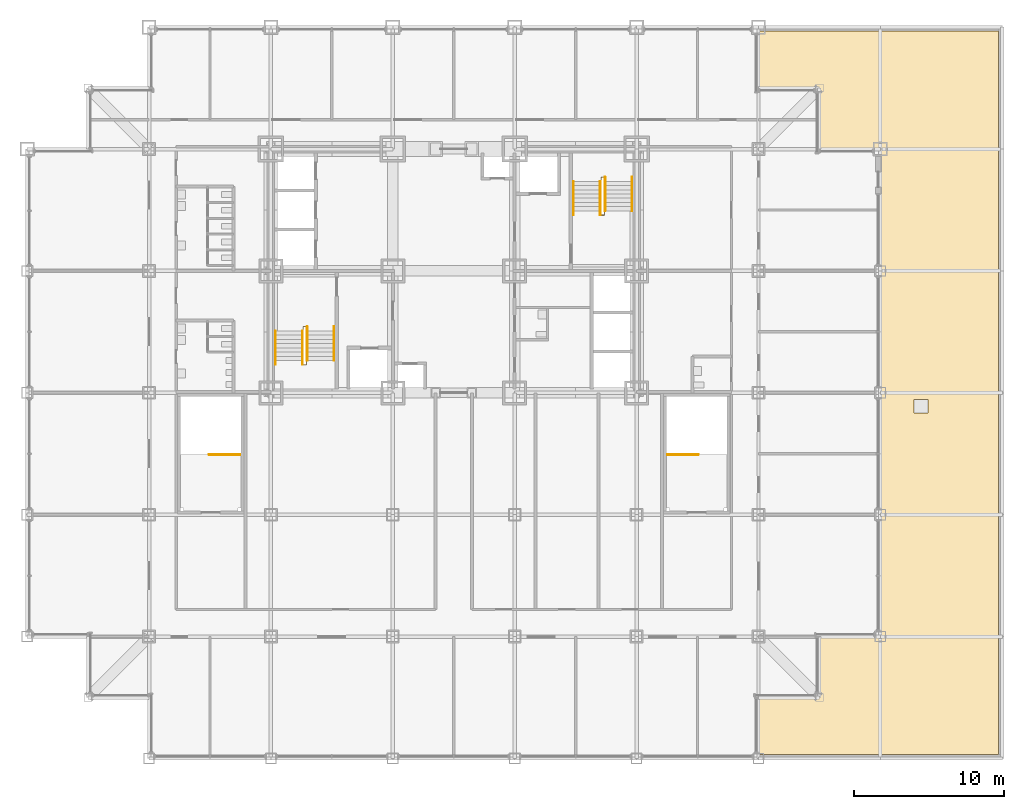
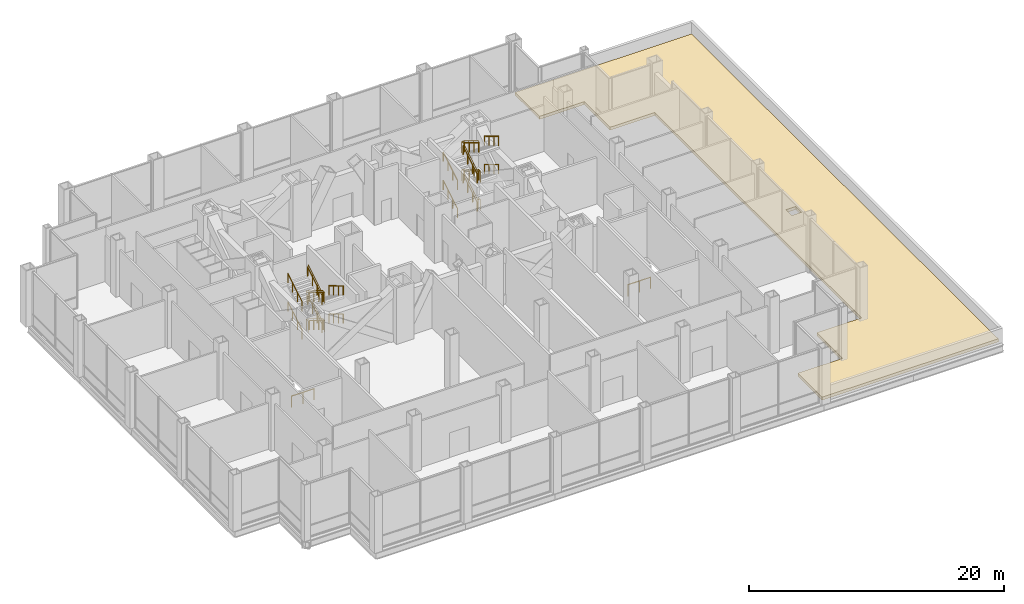
# One storey, part 17 of 18: 20 railings, 1 covering.
"""IFC4 building model written with IfcOpenShell, lengths in metres."""

from ifc_helpers import new_model, si_unit, direction, frame, origin, origin_2d, place, context, subcontext, project, spatial, polyline, circle, outline, extrude, material, layer, layer_set, type_object, element, save


model = new_model("IFC4")

# Units and contexts
model_context = context("Model", 3, precision=1e-05, world=origin(), true_north=direction((0.0, 1.0)))
body_context = subcontext(model_context, "Body", "Model", "MODEL_VIEW")
ifc_project = project(units=[si_unit("LENGTHUNIT", "METRE"), si_unit("AREAUNIT", "SQUARE_METRE"), si_unit("VOLUMEUNIT", "CUBIC_METRE"), si_unit("PLANEANGLEUNIT", "RADIAN"), si_unit("MASSUNIT", "GRAM", prefix="KILO")], contexts=[model_context])

# Site, building, storey
site_placement = place(None, origin())
site = spatial("IfcSite", under=ifc_project, at=site_placement, CompositionType="ELEMENT")
building_placement = place(site_placement, origin())
building = spatial("IfcBuilding", under=site, at=building_placement, Name="Kopane Lantern Tower", CompositionType="ELEMENT")
storey_placement = place(building_placement, frame((0.0, 0.0, 22.199951171875)))
storey = spatial("IfcBuildingStorey", under=building, at=storey_placement, Name="L04", CompositionType="ELEMENT", Elevation=22.199951171875)

# Covering
ifc_material_1 = material(Name="Bitumen membrane and extruded polystyrene insulation", Category="bitumen")
ifc_layer = layer(ifc_material_1, 0.280029296875)
ifc_layer_set = layer_set([ifc_layer], Name="ROOF FINISH RF1 INVERTED 280")
covering_type = type_object("IfcCoveringType", Name="ROOF FINISH RF1 INVERTED 280", PredefinedType="ROOFING", material=ifc_layer_set)
covering_placement = place(storey_placement, origin())
element("IfcCovering", 1, at=covering_placement, inside=storey, type_object=covering_type, Name="Roof finish L04", PredefinedType="ROOFING", context=body_context, shape_type="SweptSolid", body=[
    extrude(outline(polyline([(48.60009765625, 4.050048828125), (48.60009765625, 0.25), (64.550048828125, 0.25), (64.550048828125, 48.35009765625), (48.60009765625, 48.35009765625), (48.60009765625, 44.550048828125), (52.64990234375, 44.550048828125), (52.64990234375, 40.5), (56.699951171875, 40.5), (56.699951171875, 8.10009765625), (52.64990234375, 8.10009765625), (52.64990234375, 4.050048828125), (48.60009765625, 4.050048828125)]), holes=[polyline([(58.949951171875, 22.949951171875), (58.949951171875, 23.85009765625), (59.85009765625, 23.85009765625), (59.85009765625, 22.949951171875), (58.949951171875, 22.949951171875)])]), origin(), (0.0, 0.0, 1.0), 0.280029296875),
])

# Railings
ifc_material_2 = material(Name="Steel", Category="steel")
railing_type_1 = type_object("IfcRailingType", Name="STAIR GUARD 1100", PredefinedType="GUARDRAIL", material=ifc_material_2)
railing_1_placement = place(storey_placement, frame((18.35009765625, 28.409912109375, 0.0)))
element("IfcRailing", 2, at=railing_1_placement, inside=storey, type_object=railing_type_1, Name="ST1 well guard L04", PredefinedType="GUARDRAIL", context=body_context, shape_type="SweptSolid", body=[
    extrude(circle(Radius=0.02392578125, at=origin_2d()), frame((0.0, 0.0, 1.076171875), z_axis=(0.0, 1.0, 0.0), x_axis=(-1.0, 0.0, 0.0)), (0.0, 0.0, 1.0), 0.280029296875),
    extrude(circle(Radius=0.02392578125, at=origin_2d()), frame((0.0, 0.280029296875, 1.076171875), z_axis=(1.0, 0.0, 0.0), x_axis=(0.0, 1.0, 0.0)), (0.0, 0.0, 1.0), 0.199951171875),
    extrude(circle(Radius=0.02392578125, at=origin_2d()), frame((0.199951171875, 0.280029296875, 1.076171875), z_axis=(0.0, -0.856461642802, 0.516210668632), x_axis=(1.0, 0.0, 0.0)), (0.0, 0.0, 1.0), 2.615478515625),
    extrude(circle(Radius=0.02392578125, at=origin_2d()), frame((0.199951171875, -1.9599609375, 2.42626953125), z_axis=(0.0, -1.0, 0.0), x_axis=(1.0, 0.0, 0.0)), (0.0, 0.0, 1.0), 0.280029296875),
    extrude(circle(Radius=0.02392578125, at=origin_2d()), frame((0.199951171875, -2.239990234375, 2.42626953125), z_axis=(-1.0, 0.0, 0.0), x_axis=(0.0, -1.0, 0.0)), (0.0, 0.0, 1.0), 0.199951171875),
    extrude(circle(Radius=0.02392578125, at=origin_2d()), frame((0.0, -2.239990234375, 2.42626953125), z_axis=(0.0, 0.856502912269, 0.516142190947), x_axis=(-1.0, 0.0, 0.0)), (0.0, 0.0, 1.0), 2.615234375),
    extrude(circle(Radius=0.02392578125, at=origin_2d()), frame((0.0, 0.0, 3.77587890625), z_axis=(0.0, 1.0, 0.0), x_axis=(-1.0, 0.0, 0.0)), (0.0, 0.0, 1.0), 0.280029296875),
    extrude(circle(Radius=0.02392578125, at=origin_2d()), frame((0.0, 0.280029296875, 3.77587890625), z_axis=(1.0, 0.0, 0.0), x_axis=(0.0, 1.0, 0.0)), (0.0, 0.0, 1.0), 0.199951171875),
    extrude(circle(Radius=0.02392578125, at=origin_2d()), frame((0.199951171875, 0.280029296875, 3.77587890625), z_axis=(0.0, -0.856461642802, 0.516210668632), x_axis=(1.0, 0.0, 0.0)), (0.0, 0.0, 1.0), 2.615478515625),
    extrude(circle(Radius=0.02392578125, at=origin_2d()), frame((0.199951171875, -1.9599609375, 5.1259765625), z_axis=(0.0, -1.0, 0.0), x_axis=(1.0, 0.0, 0.0)), (0.0, 0.0, 1.0), 0.280029296875),
    extrude(circle(Radius=0.02392578125, at=origin_2d()), frame((0.199951171875, -2.239990234375, 5.1259765625), z_axis=(-1.0, 0.0, 0.0), x_axis=(0.0, -1.0, 0.0)), (0.0, 0.0, 1.0), 0.199951171875),
    extrude(circle(Radius=0.02392578125, at=origin_2d()), frame((0.0, -2.239990234375, 5.1259765625), z_axis=(0.0, 0.856461642802, 0.516210668632), x_axis=(-1.0, 0.0, 0.0)), (0.0, 0.0, 1.0), 2.615478515625),
    extrude(circle(Radius=0.02099609375, at=origin_2d()), origin(), (0.0, 0.0, 1.0), 1.052001953125),
    extrude(circle(Radius=0.02099609375, at=origin_2d()), frame((0.0, 0.280029296875, 0.0)), (0.0, 0.0, 1.0), 1.052001953125),
    extrude(circle(Radius=0.02099609375, at=origin_2d()), frame((0.199951171875, 0.280029296875, 0.0)), (0.0, 0.0, 1.0), 1.052001953125),
    extrude(circle(Radius=0.02099609375, at=origin_2d()), frame((0.199951171875, -0.466552734375, 0.449951171875)), (0.0, 0.0, 1.0), 1.052001953125),
    extrude(circle(Radius=0.02099609375, at=origin_2d()), frame((0.199951171875, -1.21337890625, 0.900146484375)), (0.0, 0.0, 1.0), 1.052001953125),
    extrude(circle(Radius=0.02099609375, at=origin_2d()), frame((0.199951171875, -1.9599609375, 1.35009765625)), (0.0, 0.0, 1.0), 1.052001953125),
    extrude(circle(Radius=0.02099609375, at=origin_2d()), frame((0.199951171875, -2.239990234375, 1.35009765625)), (0.0, 0.0, 1.0), 1.052001953125),
    extrude(circle(Radius=0.02099609375, at=origin_2d()), frame((0.0, -2.239990234375, 1.35009765625)), (0.0, 0.0, 1.0), 1.052001953125),
    extrude(circle(Radius=0.02099609375, at=origin_2d()), frame((0.0, -1.493408203125, 1.800048828125)), (0.0, 0.0, 1.0), 1.052001953125),
    extrude(circle(Radius=0.02099609375, at=origin_2d()), frame((0.0, -0.74658203125, 2.25)), (0.0, 0.0, 1.0), 1.052001953125),
    extrude(circle(Radius=0.02099609375, at=origin_2d()), frame((0.0, 0.0, 2.699951171875)), (0.0, 0.0, 1.0), 1.052001953125),
    extrude(circle(Radius=0.02099609375, at=origin_2d()), frame((0.0, 0.280029296875, 2.699951171875)), (0.0, 0.0, 1.0), 1.052001953125),
    extrude(circle(Radius=0.02099609375, at=origin_2d()), frame((0.199951171875, 0.280029296875, 2.699951171875)), (0.0, 0.0, 1.0), 1.052001953125),
    extrude(circle(Radius=0.02099609375, at=origin_2d()), frame((0.199951171875, -0.466552734375, 3.14990234375)), (0.0, 0.0, 1.0), 1.052001953125),
    extrude(circle(Radius=0.02099609375, at=origin_2d()), frame((0.199951171875, -1.21337890625, 3.60009765625)), (0.0, 0.0, 1.0), 1.052001953125),
    extrude(circle(Radius=0.02099609375, at=origin_2d()), frame((0.199951171875, -1.9599609375, 4.050048828125)), (0.0, 0.0, 1.0), 1.052001953125),
    extrude(circle(Radius=0.02099609375, at=origin_2d()), frame((0.199951171875, -2.239990234375, 4.050048828125)), (0.0, 0.0, 1.0), 1.052001953125),
    extrude(circle(Radius=0.02099609375, at=origin_2d()), frame((0.0, -2.239990234375, 4.050048828125)), (0.0, 0.0, 1.0), 1.052001953125),
    extrude(circle(Radius=0.02099609375, at=origin_2d()), frame((0.0, -1.493408203125, 4.5)), (0.0, 0.0, 1.0), 1.052001953125),
    extrude(circle(Radius=0.02099609375, at=origin_2d()), frame((0.0, -0.74658203125, 4.9501953125)), (0.0, 0.0, 1.0), 1.052001953125),
    extrude(circle(Radius=0.02099609375, at=origin_2d()), frame((0.0, 0.0, 5.400146484375)), (0.0, 0.0, 1.0), 1.052001953125),
])
railing_2_placement = place(storey_placement, frame((38.35009765625, 36.389892578125, 0.0)))
element("IfcRailing", 3, at=railing_2_placement, inside=storey, type_object=railing_type_1, Name="ST2 well guard L04", PredefinedType="GUARDRAIL", context=body_context, shape_type="SweptSolid", body=[
    extrude(circle(Radius=0.02392578125, at=origin_2d()), frame((0.0, 0.0, 1.076171875), z_axis=(0.0, -1.0, 0.0), x_axis=(1.0, 0.0, 0.0)), (0.0, 0.0, 1.0), 0.27978515625),
    extrude(circle(Radius=0.02392578125, at=origin_2d()), frame((0.0, -0.27978515625, 1.076171875), z_axis=(-1.0, 0.0, 0.0), x_axis=(0.0, -1.0, 0.0)), (0.0, 0.0, 1.0), 0.2001953125),
    extrude(circle(Radius=0.02392578125, at=origin_2d()), frame((-0.2001953125, -0.27978515625, 1.076171875), z_axis=(0.0, 0.856461642802, 0.516210668632), x_axis=(-1.0, 0.0, 0.0)), (0.0, 0.0, 1.0), 2.615478515625),
    extrude(circle(Radius=0.02392578125, at=origin_2d()), frame((-0.2001953125, 1.960205078125, 2.42626953125), z_axis=(0.0, 1.0, 0.0), x_axis=(-1.0, 0.0, 0.0)), (0.0, 0.0, 1.0), 0.27978515625),
    extrude(circle(Radius=0.02392578125, at=origin_2d()), frame((-0.2001953125, 2.239990234375, 2.42626953125), z_axis=(1.0, 0.0, 0.0), x_axis=(0.0, 1.0, 0.0)), (0.0, 0.0, 1.0), 0.2001953125),
    extrude(circle(Radius=0.02392578125, at=origin_2d()), frame((0.0, 2.239990234375, 2.42626953125), z_axis=(0.0, -0.856502912269, 0.516142190947), x_axis=(1.0, 0.0, 0.0)), (0.0, 0.0, 1.0), 2.615234375),
    extrude(circle(Radius=0.02392578125, at=origin_2d()), frame((0.0, 0.0, 3.77587890625), z_axis=(0.0, -1.0, 0.0), x_axis=(1.0, 0.0, 0.0)), (0.0, 0.0, 1.0), 0.27978515625),
    extrude(circle(Radius=0.02392578125, at=origin_2d()), frame((0.0, -0.27978515625, 3.77587890625), z_axis=(-1.0, 0.0, 0.0), x_axis=(0.0, -1.0, 0.0)), (0.0, 0.0, 1.0), 0.2001953125),
    extrude(circle(Radius=0.02392578125, at=origin_2d()), frame((-0.2001953125, -0.27978515625, 3.77587890625), z_axis=(0.0, 0.856461642802, 0.516210668632), x_axis=(-1.0, 0.0, 0.0)), (0.0, 0.0, 1.0), 2.615478515625),
    extrude(circle(Radius=0.02392578125, at=origin_2d()), frame((-0.2001953125, 1.960205078125, 5.1259765625), z_axis=(0.0, 1.0, 0.0), x_axis=(-1.0, 0.0, 0.0)), (0.0, 0.0, 1.0), 0.27978515625),
    extrude(circle(Radius=0.02392578125, at=origin_2d()), frame((-0.2001953125, 2.239990234375, 5.1259765625), z_axis=(1.0, 0.0, 0.0), x_axis=(0.0, 1.0, 0.0)), (0.0, 0.0, 1.0), 0.2001953125),
    extrude(circle(Radius=0.02392578125, at=origin_2d()), frame((0.0, 2.239990234375, 5.1259765625), z_axis=(0.0, -0.856461642802, 0.516210668632), x_axis=(1.0, 0.0, 0.0)), (0.0, 0.0, 1.0), 2.615478515625),
    extrude(circle(Radius=0.02099609375, at=origin_2d()), origin(), (0.0, 0.0, 1.0), 1.052001953125),
    extrude(circle(Radius=0.02099609375, at=origin_2d()), frame((0.0, -0.27978515625, 0.0)), (0.0, 0.0, 1.0), 1.052001953125),
    extrude(circle(Radius=0.02099609375, at=origin_2d()), frame((-0.2001953125, -0.27978515625, 0.0)), (0.0, 0.0, 1.0), 1.052001953125),
    extrude(circle(Radius=0.02099609375, at=origin_2d()), frame((-0.2001953125, 0.466796875, 0.449951171875)), (0.0, 0.0, 1.0), 1.052001953125),
    extrude(circle(Radius=0.02099609375, at=origin_2d()), frame((-0.2001953125, 1.213623046875, 0.900146484375)), (0.0, 0.0, 1.0), 1.052001953125),
    extrude(circle(Radius=0.02099609375, at=origin_2d()), frame((-0.2001953125, 1.960205078125, 1.35009765625)), (0.0, 0.0, 1.0), 1.052001953125),
    extrude(circle(Radius=0.02099609375, at=origin_2d()), frame((-0.2001953125, 2.239990234375, 1.35009765625)), (0.0, 0.0, 1.0), 1.052001953125),
    extrude(circle(Radius=0.02099609375, at=origin_2d()), frame((0.0, 2.239990234375, 1.35009765625)), (0.0, 0.0, 1.0), 1.052001953125),
    extrude(circle(Radius=0.02099609375, at=origin_2d()), frame((0.0, 1.493408203125, 1.800048828125)), (0.0, 0.0, 1.0), 1.052001953125),
    extrude(circle(Radius=0.02099609375, at=origin_2d()), frame((0.0, 0.74658203125, 2.25)), (0.0, 0.0, 1.0), 1.052001953125),
    extrude(circle(Radius=0.02099609375, at=origin_2d()), frame((0.0, 0.0, 2.699951171875)), (0.0, 0.0, 1.0), 1.052001953125),
    extrude(circle(Radius=0.02099609375, at=origin_2d()), frame((0.0, -0.27978515625, 2.699951171875)), (0.0, 0.0, 1.0), 1.052001953125),
    extrude(circle(Radius=0.02099609375, at=origin_2d()), frame((-0.2001953125, -0.27978515625, 2.699951171875)), (0.0, 0.0, 1.0), 1.052001953125),
    extrude(circle(Radius=0.02099609375, at=origin_2d()), frame((-0.2001953125, 0.466796875, 3.14990234375)), (0.0, 0.0, 1.0), 1.052001953125),
    extrude(circle(Radius=0.02099609375, at=origin_2d()), frame((-0.2001953125, 1.213623046875, 3.60009765625)), (0.0, 0.0, 1.0), 1.052001953125),
    extrude(circle(Radius=0.02099609375, at=origin_2d()), frame((-0.2001953125, 1.960205078125, 4.050048828125)), (0.0, 0.0, 1.0), 1.052001953125),
    extrude(circle(Radius=0.02099609375, at=origin_2d()), frame((-0.2001953125, 2.239990234375, 4.050048828125)), (0.0, 0.0, 1.0), 1.052001953125),
    extrude(circle(Radius=0.02099609375, at=origin_2d()), frame((0.0, 2.239990234375, 4.050048828125)), (0.0, 0.0, 1.0), 1.052001953125),
    extrude(circle(Radius=0.02099609375, at=origin_2d()), frame((0.0, 1.493408203125, 4.5)), (0.0, 0.0, 1.0), 1.052001953125),
    extrude(circle(Radius=0.02099609375, at=origin_2d()), frame((0.0, 0.74658203125, 4.9501953125)), (0.0, 0.0, 1.0), 1.052001953125),
    extrude(circle(Radius=0.02099609375, at=origin_2d()), frame((0.0, 0.0, 5.400146484375)), (0.0, 0.0, 1.0), 1.052001953125),
])
railing_3_placement = place(storey_placement, frame((12.10009765625, 20.18994140625, 0.0)))
element("IfcRailing", 4, at=railing_3_placement, inside=storey, type_object=railing_type_1, Name="ST3 guard L04", PredefinedType="GUARDRAIL", context=body_context, shape_type="SweptSolid", body=[
    extrude(circle(Radius=0.02392578125, at=origin_2d()), frame((0.0, 0.0, 1.076171875), z_axis=(1.0, 0.0, 0.0), x_axis=(0.0, 1.0, 0.0)), (0.0, 0.0, 1.0), 2.0498046875),
    extrude(circle(Radius=0.02099609375, at=origin_2d()), origin(), (0.0, 0.0, 1.0), 1.052001953125),
    extrude(circle(Radius=0.02099609375, at=origin_2d()), frame((1.02490234375, 0.0, 0.0)), (0.0, 0.0, 1.0), 1.052001953125),
    extrude(circle(Radius=0.02099609375, at=origin_2d()), frame((2.0498046875, 0.0, 0.0)), (0.0, 0.0, 1.0), 1.052001953125),
])
railing_4_placement = place(storey_placement, frame((44.60009765625, 20.18994140625, 0.0)))
element("IfcRailing", 5, at=railing_4_placement, inside=storey, type_object=railing_type_1, Name="ST4 guard L04", PredefinedType="GUARDRAIL", context=body_context, shape_type="SweptSolid", body=[
    extrude(circle(Radius=0.02392578125, at=origin_2d()), frame((0.0, 0.0, 1.076171875), z_axis=(-1.0, 0.0, 0.0), x_axis=(0.0, -1.0, 0.0)), (0.0, 0.0, 1.0), 2.050048828125),
    extrude(circle(Radius=0.02099609375, at=origin_2d()), origin(), (0.0, 0.0, 1.0), 1.052001953125),
    extrude(circle(Radius=0.02099609375, at=origin_2d()), frame((-1.02490234375, 0.0, 0.0)), (0.0, 0.0, 1.0), 1.052001953125),
    extrude(circle(Radius=0.02099609375, at=origin_2d()), frame((-2.050048828125, 0.0, 0.0)), (0.0, 0.0, 1.0), 1.052001953125),
])
ifc_material_3 = material(Name="Steel", Category="steel")
railing_type_2 = type_object("IfcRailingType", Name="STAIR HANDRAIL 900", PredefinedType="HANDRAIL", material=ifc_material_3)
for number, where, name in (
    (6, (20.389892578125, 28.68994140625, 0.0), "ST1 handrail L04 flight 1"),
    (7, (18.610107421875, 28.68994140625, 0.0), "ST1 handrail L04 flight 1"),
):
    element("IfcRailing", number, at=place(storey_placement, frame(where)), inside=storey, type_object=railing_type_2, Name=name, PredefinedType="HANDRAIL", context=body_context, shape_type="SweptSolid", body=[
        extrude(circle(Radius=0.02392578125, at=origin_2d()), frame((0.0, 0.0, 0.8759765625), z_axis=(0.0, -0.856461642802, 0.516210668632), x_axis=(1.0, 0.0, 0.0)), (0.0, 0.0, 1.0), 2.615478515625),
        extrude(circle(Radius=0.02099609375, at=origin_2d()), origin(), (0.0, 0.0, 1.0), 0.851806640625),
        extrude(circle(Radius=0.02099609375, at=origin_2d()), frame((0.0, -0.74658203125, 0.449951171875)), (0.0, 0.0, 1.0), 0.851806640625),
        extrude(circle(Radius=0.02099609375, at=origin_2d()), frame((0.0, -1.493408203125, 0.900146484375)), (0.0, 0.0, 1.0), 0.851806640625),
        extrude(circle(Radius=0.02099609375, at=origin_2d()), frame((0.0, -2.239990234375, 1.35009765625)), (0.0, 0.0, 1.0), 0.851806640625),
    ])
for number, where, name in (
    (8, (16.510009765625, 26.169921875, 1.35009765625), "ST1 handrail L04 flight 2"),
    (9, (18.2900390625, 26.169921875, 1.35009765625), "ST1 handrail L04 flight 2"),
):
    element("IfcRailing", number, at=place(storey_placement, frame(where)), inside=storey, type_object=railing_type_2, Name=name, PredefinedType="HANDRAIL", context=body_context, shape_type="SweptSolid", body=[
        extrude(circle(Radius=0.02392578125, at=origin_2d()), frame((0.0, 0.0, 0.8759765625), z_axis=(0.0, 0.856502912269, 0.516142190947), x_axis=(-1.0, 0.0, 0.0)), (0.0, 0.0, 1.0), 2.615234375),
        extrude(circle(Radius=0.02099609375, at=origin_2d()), origin(), (0.0, 0.0, 1.0), 0.851806640625),
        extrude(circle(Radius=0.02099609375, at=origin_2d()), frame((0.0, 0.74658203125, 0.449951171875)), (0.0, 0.0, 1.0), 0.851806640625),
        extrude(circle(Radius=0.02099609375, at=origin_2d()), frame((0.0, 1.493408203125, 0.89990234375)), (0.0, 0.0, 1.0), 0.851806640625),
        extrude(circle(Radius=0.02099609375, at=origin_2d()), frame((0.0, 2.239990234375, 1.349853515625)), (0.0, 0.0, 1.0), 0.851806640625),
    ])
for number, where, name in (
    (10, (20.389892578125, 28.68994140625, 2.699951171875), "ST1 handrail L04 flight 3"),
    (11, (18.610107421875, 28.68994140625, 2.699951171875), "ST1 handrail L04 flight 3"),
):
    element("IfcRailing", number, at=place(storey_placement, frame(where)), inside=storey, type_object=railing_type_2, Name=name, PredefinedType="HANDRAIL", context=body_context, shape_type="SweptSolid", body=[
        extrude(circle(Radius=0.02392578125, at=origin_2d()), frame((0.0, 0.0, 0.8759765625), z_axis=(0.0, -0.856461642802, 0.516210668632), x_axis=(1.0, 0.0, 0.0)), (0.0, 0.0, 1.0), 2.615478515625),
        extrude(circle(Radius=0.02099609375, at=origin_2d()), origin(), (0.0, 0.0, 1.0), 0.851806640625),
        extrude(circle(Radius=0.02099609375, at=origin_2d()), frame((0.0, -0.74658203125, 0.449951171875)), (0.0, 0.0, 1.0), 0.851806640625),
        extrude(circle(Radius=0.02099609375, at=origin_2d()), frame((0.0, -1.493408203125, 0.900146484375)), (0.0, 0.0, 1.0), 0.851806640625),
        extrude(circle(Radius=0.02099609375, at=origin_2d()), frame((0.0, -2.239990234375, 1.35009765625)), (0.0, 0.0, 1.0), 0.851806640625),
    ])
for number, where, name in (
    (12, (16.510009765625, 26.169921875, 4.050048828125), "ST1 handrail L04 flight 4"),
    (13, (18.2900390625, 26.169921875, 4.050048828125), "ST1 handrail L04 flight 4"),
    (14, (36.31005859375, 36.110107421875, 0.0), "ST2 handrail L04 flight 1"),
    (15, (38.090087890625, 36.110107421875, 0.0), "ST2 handrail L04 flight 1"),
):
    element("IfcRailing", number, at=place(storey_placement, frame(where)), inside=storey, type_object=railing_type_2, Name=name, PredefinedType="HANDRAIL", context=body_context, shape_type="SweptSolid", body=[
        extrude(circle(Radius=0.02392578125, at=origin_2d()), frame((0.0, 0.0, 0.8759765625), z_axis=(0.0, 0.856461642802, 0.516210668632), x_axis=(-1.0, 0.0, 0.0)), (0.0, 0.0, 1.0), 2.615478515625),
        extrude(circle(Radius=0.02099609375, at=origin_2d()), origin(), (0.0, 0.0, 1.0), 0.851806640625),
        extrude(circle(Radius=0.02099609375, at=origin_2d()), frame((0.0, 0.74658203125, 0.449951171875)), (0.0, 0.0, 1.0), 0.851806640625),
        extrude(circle(Radius=0.02099609375, at=origin_2d()), frame((0.0, 1.493408203125, 0.900146484375)), (0.0, 0.0, 1.0), 0.851806640625),
        extrude(circle(Radius=0.02099609375, at=origin_2d()), frame((0.0, 2.239990234375, 1.35009765625)), (0.0, 0.0, 1.0), 0.851806640625),
    ])
for number, where, name in (
    (16, (40.18994140625, 38.6298828125, 1.35009765625), "ST2 handrail L04 flight 2"),
    (17, (38.409912109375, 38.6298828125, 1.35009765625), "ST2 handrail L04 flight 2"),
):
    element("IfcRailing", number, at=place(storey_placement, frame(where)), inside=storey, type_object=railing_type_2, Name=name, PredefinedType="HANDRAIL", context=body_context, shape_type="SweptSolid", body=[
        extrude(circle(Radius=0.02392578125, at=origin_2d()), frame((0.0, 0.0, 0.8759765625), z_axis=(0.0, -0.856502912269, 0.516142190947), x_axis=(1.0, 0.0, 0.0)), (0.0, 0.0, 1.0), 2.615234375),
        extrude(circle(Radius=0.02099609375, at=origin_2d()), origin(), (0.0, 0.0, 1.0), 0.851806640625),
        extrude(circle(Radius=0.02099609375, at=origin_2d()), frame((0.0, -0.74658203125, 0.449951171875)), (0.0, 0.0, 1.0), 0.851806640625),
        extrude(circle(Radius=0.02099609375, at=origin_2d()), frame((0.0, -1.493408203125, 0.89990234375)), (0.0, 0.0, 1.0), 0.851806640625),
        extrude(circle(Radius=0.02099609375, at=origin_2d()), frame((0.0, -2.239990234375, 1.349853515625)), (0.0, 0.0, 1.0), 0.851806640625),
    ])
for number, where, name in (
    (18, (36.31005859375, 36.110107421875, 2.699951171875), "ST2 handrail L04 flight 3"),
    (19, (38.090087890625, 36.110107421875, 2.699951171875), "ST2 handrail L04 flight 3"),
):
    element("IfcRailing", number, at=place(storey_placement, frame(where)), inside=storey, type_object=railing_type_2, Name=name, PredefinedType="HANDRAIL", context=body_context, shape_type="SweptSolid", body=[
        extrude(circle(Radius=0.02392578125, at=origin_2d()), frame((0.0, 0.0, 0.8759765625), z_axis=(0.0, 0.856461642802, 0.516210668632), x_axis=(-1.0, 0.0, 0.0)), (0.0, 0.0, 1.0), 2.615478515625),
        extrude(circle(Radius=0.02099609375, at=origin_2d()), origin(), (0.0, 0.0, 1.0), 0.851806640625),
        extrude(circle(Radius=0.02099609375, at=origin_2d()), frame((0.0, 0.74658203125, 0.449951171875)), (0.0, 0.0, 1.0), 0.851806640625),
        extrude(circle(Radius=0.02099609375, at=origin_2d()), frame((0.0, 1.493408203125, 0.900146484375)), (0.0, 0.0, 1.0), 0.851806640625),
        extrude(circle(Radius=0.02099609375, at=origin_2d()), frame((0.0, 2.239990234375, 1.35009765625)), (0.0, 0.0, 1.0), 0.851806640625),
    ])
for number, where, name in (
    (20, (40.18994140625, 38.6298828125, 4.050048828125), "ST2 handrail L04 flight 4"),
    (21, (38.409912109375, 38.6298828125, 4.050048828125), "ST2 handrail L04 flight 4"),
):
    element("IfcRailing", number, at=place(storey_placement, frame(where)), inside=storey, type_object=railing_type_2, Name=name, PredefinedType="HANDRAIL", context=body_context, shape_type="SweptSolid", body=[
        extrude(circle(Radius=0.02392578125, at=origin_2d()), frame((0.0, 0.0, 0.8759765625), z_axis=(0.0, -0.856461642802, 0.516210668632), x_axis=(1.0, 0.0, 0.0)), (0.0, 0.0, 1.0), 2.615478515625),
        extrude(circle(Radius=0.02099609375, at=origin_2d()), origin(), (0.0, 0.0, 1.0), 0.851806640625),
        extrude(circle(Radius=0.02099609375, at=origin_2d()), frame((0.0, -0.74658203125, 0.449951171875)), (0.0, 0.0, 1.0), 0.851806640625),
        extrude(circle(Radius=0.02099609375, at=origin_2d()), frame((0.0, -1.493408203125, 0.900146484375)), (0.0, 0.0, 1.0), 0.851806640625),
        extrude(circle(Radius=0.02099609375, at=origin_2d()), frame((0.0, -2.239990234375, 1.35009765625)), (0.0, 0.0, 1.0), 0.851806640625),
    ])

save(model, "model.ifc")
